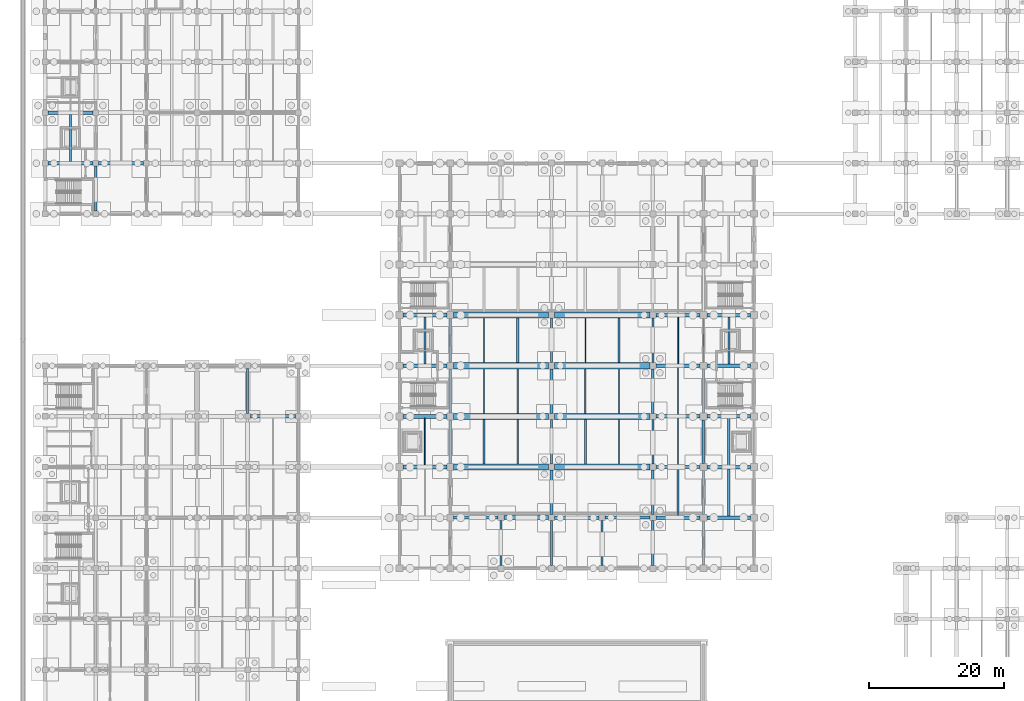
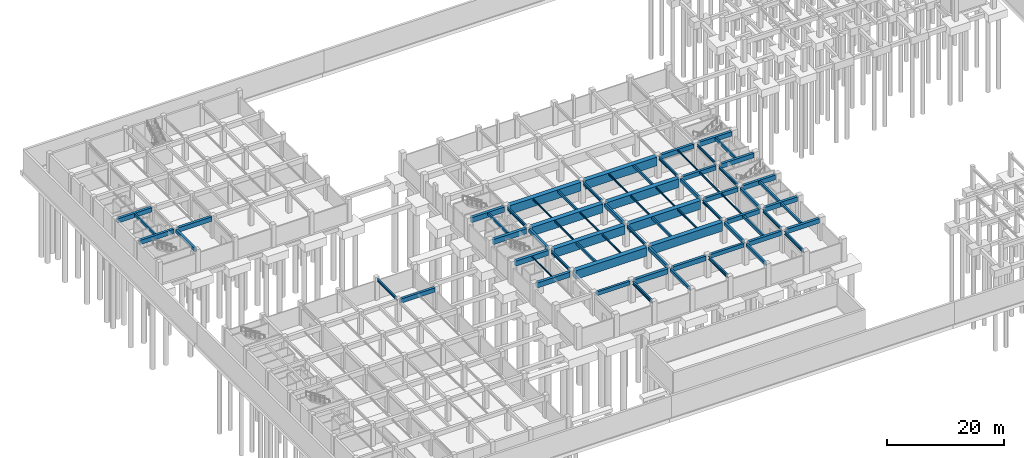
# One storey, part 16 of 38: 74 beams.
"""IFC4 building model written with IfcOpenShell, lengths in metres."""

from ifc_helpers import new_model, si_unit, direction, frame, origin, origin_2d, place, context, subcontext, project, spatial, rectangle, i_section, extrude, material, material_profile, profile_set, type_object, element, save


model = new_model("IFC4")

# Units and contexts
model_context = context("Model", 3, precision=1e-05, world=origin(), true_north=direction((0.0, 1.0)))
body_context = subcontext(model_context, "Body", "Model", "MODEL_VIEW")
ifc_project = project(units=[si_unit("LENGTHUNIT", "METRE"), si_unit("AREAUNIT", "SQUARE_METRE"), si_unit("VOLUMEUNIT", "CUBIC_METRE"), si_unit("PLANEANGLEUNIT", "RADIAN"), si_unit("MASSUNIT", "GRAM", prefix="KILO")], contexts=[model_context])

# Site, building, storey
site_placement = place(None, origin())
site = spatial("IfcSite", under=ifc_project, at=site_placement, CompositionType="ELEMENT")
building_placement = place(site_placement, origin())
building = spatial("IfcBuilding", under=site, at=building_placement, Name="Qasida Concert Hall", CompositionType="ELEMENT")
storey_placement = place(building_placement, frame((0.0, 0.0, -4.800048828125)))
storey = spatial("IfcBuildingStorey", under=building, at=storey_placement, Name="B1", CompositionType="ELEMENT", Elevation=-4.800048828125)

# Beams
ifc_material_1 = material(Name="Concrete C40/50", Category="concrete")
ifc_material_profile_1 = material_profile(ifc_material_1, rectangle(XDim=0.39990234375, YDim=0.64990234375, at=origin_2d()), Name="RC 400x650")
ifc_profile_set_1 = profile_set([ifc_material_profile_1], Name="Concrete C40/50")
beam_type_1 = type_object("IfcBeamType", Name="BM-B1", PredefinedType="BEAM", material=ifc_profile_set_1)
for number, where, z_axis, x_axis, name in (
    (1, (75.0, 30.449951171875, 4.175048828125), (0.0, 1.0, 0.0), (-1.0, 0.0, 0.0), "B1 girder 0051"),
    (2, (90.0, 30.449951171875, 4.175048828125), (0.0, 1.0, 0.0), (-1.0, 0.0, 0.0), "B1 girder 0061"),
):
    element("IfcBeam", number, at=place(storey_placement, frame(where, z_axis=z_axis, x_axis=x_axis)), inside=storey, type_object=beam_type_1, Name=name, PredefinedType="BEAM", context=body_context, shape_type="SweptSolid", body=[
        extrude(rectangle(XDim=0.39990234375, YDim=0.64990234375, at=origin_2d()), origin(), (0.0, 0.0, 1.0), 6.60009765625),
    ])
beam_1_placement = place(storey_placement, frame((7.5, 75.39990234375, 4.175048828125), z_axis=(0.0, 1.0, 0.0), x_axis=(-1.0, 0.0, 0.0)))
element("IfcBeam", 3, at=beam_1_placement, inside=storey, type_object=beam_type_1, Name="B1 girder 0316", PredefinedType="BEAM", context=body_context, shape_type="SweptSolid", body=[
    extrude(rectangle(XDim=0.39990234375, YDim=0.64990234375, at=origin_2d()), origin(), (0.0, 0.0, 1.0), 6.7001953125),
])
ifc_material_profile_2 = material_profile(ifc_material_1, rectangle(XDim=0.3798828125, YDim=0.6201171875, at=origin_2d()), Name="RC 380x620")
ifc_profile_set_2 = profile_set([ifc_material_profile_2], Name="Concrete C40/50")
beam_type_2 = type_object("IfcBeamType", Name="BM-B10", PredefinedType="BEAM", material=ifc_profile_set_2)
beam_2_placement = place(storey_placement, frame((97.5, 38.0, 4.18994140625), z_axis=(0.0, 1.0, 0.0), x_axis=(-1.0, 0.0, 0.0)))
element("IfcBeam", 4, at=beam_2_placement, inside=storey, type_object=beam_type_2, Name="B1 girder 0070", PredefinedType="BEAM", context=body_context, shape_type="SweptSolid", body=[
    extrude(rectangle(XDim=0.3798828125, YDim=0.6201171875, at=origin_2d()), origin(), (0.0, 0.0, 1.0), 6.5),
])
ifc_material_profile_3 = material_profile(ifc_material_1, rectangle(XDim=0.419921875, YDim=0.699951171875, at=origin_2d()), Name="RC 420x700")
ifc_profile_set_3 = profile_set([ifc_material_profile_3], Name="Concrete C40/50")
beam_type_3 = type_object("IfcBeamType", Name="BM-B11", PredefinedType="BEAM", material=ifc_profile_set_3)
beam_3_placement = place(storey_placement, frame((60.0, 45.5, 4.150146484375), z_axis=(0.0, 1.0, 0.0), x_axis=(-1.0, 0.0, 0.0)))
element("IfcBeam", 5, at=beam_3_placement, inside=storey, type_object=beam_type_3, Name="B1 girder 0043", PredefinedType="BEAM", context=body_context, shape_type="SweptSolid", body=[
    extrude(rectangle(XDim=0.419921875, YDim=0.699951171875, at=origin_2d()), origin(), (0.0, 0.0, 1.0), 6.5),
])
for number, where, z_axis, x_axis, name in (
    (6, (75.0, 45.449951171875, 4.150146484375), (0.0, 1.0, 0.0), (-1.0, 0.0, 0.0), "B1 girder 0053"),
    (7, (90.0, 45.449951171875, 4.150146484375), (0.0, 1.0, 0.0), (-1.0, 0.0, 0.0), "B1 girder 0063"),
):
    element("IfcBeam", number, at=place(storey_placement, frame(where, z_axis=z_axis, x_axis=x_axis)), inside=storey, type_object=beam_type_3, Name=name, PredefinedType="BEAM", context=body_context, shape_type="SweptSolid", body=[
        extrude(rectangle(XDim=0.419921875, YDim=0.699951171875, at=origin_2d()), origin(), (0.0, 0.0, 1.0), 6.60009765625),
    ])
ifc_material_2 = material(Name="Steel S355J2", Category="steel")
ifc_material_profile_4 = material_profile(ifc_material_2, i_section(OverallWidth=0.300048828125, OverallDepth=0.550048828125, WebThickness=0.014892578125, FlangeThickness=0.029052734375, FilletRadius=0.027099609375, at=origin_2d()), Name="HEB 550")
ifc_profile_set_4 = profile_set([ifc_material_profile_4], Name="Steel S355J2")
beam_type_4 = type_object("IfcBeamType", Name="BM-B12", PredefinedType="BEAM", material=ifc_profile_set_4)
beam_4_placement = place(storey_placement, frame((60.0, 38.0, 4.22509765625), z_axis=(0.0, 1.0, 0.0), x_axis=(-1.0, 0.0, 0.0)))
element("IfcBeam", 8, at=beam_4_placement, inside=storey, type_object=beam_type_4, Name="B1 girder 0042", PredefinedType="BEAM", context=body_context, shape_type="SweptSolid", body=[
    extrude(i_section(OverallWidth=0.300048828125, OverallDepth=0.550048828125, WebThickness=0.014892578125, FlangeThickness=0.029052734375, FilletRadius=0.027099609375, at=origin_2d()), origin(), (0.0, 0.0, 1.0), 6.5),
])
for number, where, z_axis, x_axis, name in (
    (9, (75.0, 37.949951171875, 4.22509765625), (0.0, 1.0, 0.0), (-1.0, 0.0, 0.0), "B1 girder 0052"),
    (10, (90.0, 37.949951171875, 4.22509765625), (0.0, 1.0, 0.0), (-1.0, 0.0, 0.0), "B1 girder 0062"),
):
    element("IfcBeam", number, at=place(storey_placement, frame(where, z_axis=z_axis, x_axis=x_axis)), inside=storey, type_object=beam_type_4, Name=name, PredefinedType="BEAM", context=body_context, shape_type="SweptSolid", body=[
        extrude(i_section(OverallWidth=0.300048828125, OverallDepth=0.550048828125, WebThickness=0.014892578125, FlangeThickness=0.029052734375, FilletRadius=0.027099609375, at=origin_2d()), origin(), (0.0, 0.0, 1.0), 6.60009765625),
    ])
beam_5_placement = place(storey_placement, frame((97.5, 30.5, 4.22509765625), z_axis=(0.0, 1.0, 0.0), x_axis=(-1.0, 0.0, 0.0)))
element("IfcBeam", 11, at=beam_5_placement, inside=storey, type_object=beam_type_4, Name="B1 girder 0069", PredefinedType="BEAM", context=body_context, shape_type="SweptSolid", body=[
    extrude(i_section(OverallWidth=0.300048828125, OverallDepth=0.550048828125, WebThickness=0.014892578125, FlangeThickness=0.029052734375, FilletRadius=0.027099609375, at=origin_2d()), origin(), (0.0, 0.0, 1.0), 6.5),
])
beam_6_placement = place(storey_placement, frame((30.0, 45.39990234375, 4.22509765625), z_axis=(0.0, 1.0, 0.0), x_axis=(-1.0, 0.0, 0.0)))
element("IfcBeam", 12, at=beam_6_placement, inside=storey, type_object=beam_type_4, Name="B1 girder 0204", PredefinedType="BEAM", context=body_context, shape_type="SweptSolid", body=[
    extrude(i_section(OverallWidth=0.300048828125, OverallDepth=0.550048828125, WebThickness=0.014892578125, FlangeThickness=0.029052734375, FilletRadius=0.027099609375, at=origin_2d()), origin(), (0.0, 0.0, 1.0), 6.7001953125),
])
ifc_material_profile_5 = material_profile(ifc_material_2, i_section(OverallWidth=0.300048828125, OverallDepth=0.64990234375, WebThickness=0.01611328125, FlangeThickness=0.031005859375, FilletRadius=0.027099609375, at=origin_2d()), Name="HEB 650")
ifc_profile_set_5 = profile_set([ifc_material_profile_5], Name="Steel S355J2")
beam_type_5 = type_object("IfcBeamType", Name="BM-B13", PredefinedType="BEAM", material=ifc_profile_set_5)
for number, where, z_axis, x_axis, name in (
    (13, (67.5, 22.949951171875, 4.175048828125), (0.0, 1.0, 0.0), (-1.0, 0.0, 0.0), "B1 girder 0048"),
    (14, (82.5, 22.949951171875, 4.175048828125), (0.0, 1.0, 0.0), (-1.0, 0.0, 0.0), "B1 girder 0058"),
):
    element("IfcBeam", number, at=place(storey_placement, frame(where, z_axis=z_axis, x_axis=x_axis)), inside=storey, type_object=beam_type_5, Name=name, PredefinedType="BEAM", context=body_context, shape_type="SweptSolid", body=[
        extrude(i_section(OverallWidth=0.300048828125, OverallDepth=0.64990234375, WebThickness=0.01611328125, FlangeThickness=0.031005859375, FilletRadius=0.027099609375, at=origin_2d()), origin(), (0.0, 0.0, 1.0), 6.60009765625),
    ])
beam_7_placement = place(storey_placement, frame((97.5, 23.0, 4.175048828125), z_axis=(0.0, 1.0, 0.0), x_axis=(-1.0, 0.0, 0.0)))
element("IfcBeam", 15, at=beam_7_placement, inside=storey, type_object=beam_type_5, Name="B1 girder 0068", PredefinedType="BEAM", context=body_context, shape_type="SweptSolid", body=[
    extrude(i_section(OverallWidth=0.300048828125, OverallDepth=0.64990234375, WebThickness=0.01611328125, FlangeThickness=0.031005859375, FilletRadius=0.027099609375, at=origin_2d()), origin(), (0.0, 0.0, 1.0), 6.5),
])
ifc_material_profile_6 = material_profile(ifc_material_1, rectangle(XDim=0.35009765625, YDim=0.60009765625, at=origin_2d()), Name="RC 350x600")
ifc_profile_set_6 = profile_set([ifc_material_profile_6], Name="Concrete C40/50")
beam_type_6 = type_object("IfcBeamType", Name="BM-B2", PredefinedType="BEAM", material=ifc_profile_set_6)
for number, where, z_axis, x_axis, name in (
    (16, (75.0, 22.949951171875, 4.199951171875), (0.0, 1.0, 0.0), (-1.0, 0.0, 0.0), "B1 girder 0050"),
    (17, (90.0, 22.949951171875, 4.199951171875), (0.0, 1.0, 0.0), (-1.0, 0.0, 0.0), "B1 girder 0060"),
):
    element("IfcBeam", number, at=place(storey_placement, frame(where, z_axis=z_axis, x_axis=x_axis)), inside=storey, type_object=beam_type_6, Name=name, PredefinedType="BEAM", context=body_context, shape_type="SweptSolid", body=[
        extrude(rectangle(XDim=0.35009765625, YDim=0.60009765625, at=origin_2d()), origin(), (0.0, 0.0, 1.0), 6.60009765625),
    ])
ifc_material_profile_7 = material_profile(ifc_material_2, i_section(OverallWidth=0.199951171875, OverallDepth=0.5, WebThickness=0.01025390625, FlangeThickness=0.01611328125, FilletRadius=0.02099609375, at=origin_2d()), Name="IPE 500")
ifc_profile_set_7 = profile_set([ifc_material_profile_7], Name="Steel S355J2")
beam_type_7 = type_object("IfcBeamType", Name="BM-B4", PredefinedType="BEAM", material=ifc_profile_set_7)
beam_8_placement = place(storey_placement, frame((97.5, 53.0, 4.25), z_axis=(0.0, 1.0, 0.0), x_axis=(-1.0, 0.0, 0.0)))
element("IfcBeam", 18, at=beam_8_placement, inside=storey, type_object=beam_type_7, Name="B1 girder 0072", PredefinedType="BEAM", context=body_context, shape_type="SweptSolid", body=[
    extrude(i_section(OverallWidth=0.199951171875, OverallDepth=0.5, WebThickness=0.01025390625, FlangeThickness=0.01611328125, FilletRadius=0.02099609375, at=origin_2d()), origin(), (0.0, 0.0, 1.0), 6.5),
])
ifc_material_profile_8 = material_profile(ifc_material_2, i_section(OverallWidth=0.300048828125, OverallDepth=0.60009765625, WebThickness=0.015380859375, FlangeThickness=0.030029296875, FilletRadius=0.027099609375, at=origin_2d()), Name="HEB 600")
ifc_profile_set_8 = profile_set([ifc_material_profile_8], Name="Steel S355J2")
beam_type_8 = type_object("IfcBeamType", Name="BM-B6", PredefinedType="BEAM", material=ifc_profile_set_8)
beam_9_placement = place(storey_placement, frame((60.0, 53.0, 4.199951171875), z_axis=(0.0, 1.0, 0.0), x_axis=(-1.0, 0.0, 0.0)))
element("IfcBeam", 19, at=beam_9_placement, inside=storey, type_object=beam_type_8, Name="B1 girder 0044", PredefinedType="BEAM", context=body_context, shape_type="SweptSolid", body=[
    extrude(i_section(OverallWidth=0.300048828125, OverallDepth=0.60009765625, WebThickness=0.015380859375, FlangeThickness=0.030029296875, FilletRadius=0.027099609375, at=origin_2d()), origin(), (0.0, 0.0, 1.0), 6.5),
])
for number, where, z_axis, x_axis, name in (
    (20, (75.0, 52.949951171875, 4.199951171875), (0.0, 1.0, 0.0), (-1.0, 0.0, 0.0), "B1 girder 0054"),
    (21, (90.0, 52.949951171875, 4.199951171875), (0.0, 1.0, 0.0), (-1.0, 0.0, 0.0), "B1 girder 0064"),
):
    element("IfcBeam", number, at=place(storey_placement, frame(where, z_axis=z_axis, x_axis=x_axis)), inside=storey, type_object=beam_type_8, Name=name, PredefinedType="BEAM", context=body_context, shape_type="SweptSolid", body=[
        extrude(i_section(OverallWidth=0.300048828125, OverallDepth=0.60009765625, WebThickness=0.015380859375, FlangeThickness=0.030029296875, FilletRadius=0.027099609375, at=origin_2d()), origin(), (0.0, 0.0, 1.0), 6.60009765625),
    ])
beam_10_placement = place(storey_placement, frame((97.5, 45.5, 4.199951171875), z_axis=(0.0, 1.0, 0.0), x_axis=(-1.0, 0.0, 0.0)))
element("IfcBeam", 22, at=beam_10_placement, inside=storey, type_object=beam_type_8, Name="B1 girder 0071", PredefinedType="BEAM", context=body_context, shape_type="SweptSolid", body=[
    extrude(i_section(OverallWidth=0.300048828125, OverallDepth=0.60009765625, WebThickness=0.015380859375, FlangeThickness=0.030029296875, FilletRadius=0.027099609375, at=origin_2d()), origin(), (0.0, 0.0, 1.0), 6.5),
])
ifc_material_profile_9 = material_profile(ifc_material_1, rectangle(XDim=0.5, YDim=0.89990234375, at=origin_2d()), Name="RC 500x900")
ifc_profile_set_9 = profile_set([ifc_material_profile_9], Name="Concrete C40/50")
beam_type_9 = type_object("IfcBeamType", Name="BM-G1", PredefinedType="USERDEFINED", material=ifc_profile_set_9)
for number, where, z_axis, x_axis, name in (
    (23, (90.449951171875, 30.0, 4.050048828125), (1.0, 0.0, 0.0), (0.0, 1.0, 0.0), "Primary girder 0006"),
    (24, (90.449951171875, 37.5, 4.050048828125), (1.0, 0.0, 0.0), (0.0, 1.0, 0.0), "Primary girder 0011"),
    (25, (90.449951171875, 45.0, 4.050048828125), (1.0, 0.0, 0.0), (0.0, 1.0, 0.0), "Primary girder 0016"),
    (26, (90.449951171875, 52.5, 4.050048828125), (1.0, 0.0, 0.0), (0.0, 1.0, 0.0), "Primary girder 0021"),
    (27, (90.449951171875, 60.0, 4.050048828125), (1.0, 0.0, 0.0), (0.0, 1.0, 0.0), "Primary girder 0026"),
):
    element("IfcBeam", number, at=place(storey_placement, frame(where, z_axis=z_axis, x_axis=x_axis)), inside=storey, type_object=beam_type_9, Name=name, ObjectType="GIRDER", PredefinedType="USERDEFINED", context=body_context, shape_type="SweptSolid", body=[
        extrude(rectangle(XDim=0.5, YDim=0.89990234375, at=origin_2d()), origin(), (0.0, 0.0, 1.0), 6.550048828125),
    ])
for number, where, z_axis, x_axis, name in (
    (28, (30.39990234375, 45.0, 4.050048828125), (1.0, 0.0, 0.0), (0.0, 1.0, 0.0), "Primary girder 0176"),
    (29, (0.39990234375, 82.5, 4.050048828125), (1.0, 0.0, 0.0), (0.0, 1.0, 0.0), "Primary girder 0296"),
    (30, (0.39990234375, 90.0, 4.050048828125), (1.0, 0.0, 0.0), (0.0, 1.0, 0.0), "Primary girder 0301"),
):
    element("IfcBeam", number, at=place(storey_placement, frame(where, z_axis=z_axis, x_axis=x_axis)), inside=storey, type_object=beam_type_9, Name=name, ObjectType="GIRDER", PredefinedType="USERDEFINED", context=body_context, shape_type="SweptSolid", body=[
        extrude(rectangle(XDim=0.5, YDim=0.89990234375, at=origin_2d()), origin(), (0.0, 0.0, 1.0), 6.7001953125),
    ])
ifc_material_profile_10 = material_profile(ifc_material_1, rectangle(XDim=0.449951171875, YDim=0.800048828125, at=origin_2d()), Name="RC 450x800")
ifc_profile_set_10 = profile_set([ifc_material_profile_10], Name="Concrete C40/50")
beam_type_10 = type_object("IfcBeamType", Name="BM-G2", PredefinedType="USERDEFINED", material=ifc_profile_set_10)
beam_11_placement = place(storey_placement, frame((60.5, 30.0, 4.10009765625), z_axis=(1.0, 0.0, 0.0), x_axis=(0.0, 1.0, 0.0)))
element("IfcBeam", 31, at=beam_11_placement, inside=storey, type_object=beam_type_10, Name="Primary girder 0002", ObjectType="GIRDER", PredefinedType="USERDEFINED", context=body_context, shape_type="SweptSolid", body=[
    extrude(rectangle(XDim=0.449951171875, YDim=0.800048828125, at=origin_2d()), origin(), (0.0, 0.0, 1.0), 6.550048828125),
])
beam_12_placement = place(storey_placement, frame((82.949951171875, 30.0, 4.10009765625), z_axis=(1.0, 0.0, 0.0), x_axis=(0.0, 1.0, 0.0)))
element("IfcBeam", 32, at=beam_12_placement, inside=storey, type_object=beam_type_10, Name="Primary girder 0005", ObjectType="GIRDER", PredefinedType="USERDEFINED", context=body_context, shape_type="SweptSolid", body=[
    extrude(rectangle(XDim=0.449951171875, YDim=0.800048828125, at=origin_2d()), origin(), (0.0, 0.0, 1.0), 6.60009765625),
])
ifc_material_profile_11 = material_profile(ifc_material_1, rectangle(XDim=0.52001953125, YDim=0.949951171875, at=origin_2d()), Name="RC 520x950")
ifc_profile_set_11 = profile_set([ifc_material_profile_11], Name="Concrete C40/50")
beam_type_11 = type_object("IfcBeamType", Name="BM-G7", PredefinedType="USERDEFINED", material=ifc_profile_set_11)
beam_13_placement = place(storey_placement, frame((75.449951171875, 30.0, 4.025146484375), z_axis=(1.0, 0.0, 0.0), x_axis=(0.0, 1.0, 0.0)))
element("IfcBeam", 33, at=beam_13_placement, inside=storey, type_object=beam_type_11, Name="Primary girder 0004", ObjectType="GIRDER", PredefinedType="USERDEFINED", context=body_context, shape_type="SweptSolid", body=[
    extrude(rectangle(XDim=0.52001953125, YDim=0.949951171875, at=origin_2d()), origin(), (0.0, 0.0, 1.0), 6.60009765625),
])
for number, where, z_axis, x_axis, name in (
    (34, (98.0, 30.0, 4.025146484375), (1.0, 0.0, 0.0), (0.0, 1.0, 0.0), "Primary girder 0007"),
    (35, (98.0, 37.5, 4.025146484375), (1.0, 0.0, 0.0), (0.0, 1.0, 0.0), "Primary girder 0012"),
    (36, (98.0, 45.0, 4.025146484375), (1.0, 0.0, 0.0), (0.0, 1.0, 0.0), "Primary girder 0017"),
    (37, (98.0, 52.5, 4.025146484375), (1.0, 0.0, 0.0), (0.0, 1.0, 0.0), "Primary girder 0022"),
    (38, (98.0, 60.0, 4.025146484375), (1.0, 0.0, 0.0), (0.0, 1.0, 0.0), "Primary girder 0027"),
):
    element("IfcBeam", number, at=place(storey_placement, frame(where, z_axis=z_axis, x_axis=x_axis)), inside=storey, type_object=beam_type_11, Name=name, ObjectType="GIRDER", PredefinedType="USERDEFINED", context=body_context, shape_type="SweptSolid", body=[
        extrude(rectangle(XDim=0.52001953125, YDim=0.949951171875, at=origin_2d()), origin(), (0.0, 0.0, 1.0), 6.5),
    ])
beam_14_placement = place(storey_placement, frame((7.89990234375, 82.5, 4.025146484375), z_axis=(1.0, 0.0, 0.0), x_axis=(0.0, 1.0, 0.0)))
element("IfcBeam", 39, at=beam_14_placement, inside=storey, type_object=beam_type_11, Name="Primary girder 0297", ObjectType="GIRDER", PredefinedType="USERDEFINED", context=body_context, shape_type="SweptSolid", body=[
    extrude(rectangle(XDim=0.52001953125, YDim=0.949951171875, at=origin_2d()), origin(), (0.0, 0.0, 1.0), 6.7001953125),
])
ifc_material_3 = material(Name="Concrete C50/60", Category="concrete")
ifc_material_profile_12 = material_profile(ifc_material_3, rectangle(XDim=0.580078125, YDim=1.050048828125, at=origin_2d()), Name="RC 580x1050")
ifc_profile_set_12 = profile_set([ifc_material_profile_12], Name="Concrete C50/60")
beam_type_12 = type_object("IfcBeamType", Name="BM-G8", PredefinedType="USERDEFINED", material=ifc_profile_set_12)
beam_15_placement = place(storey_placement, frame((67.949951171875, 30.0, 3.97509765625), z_axis=(1.0, 0.0, 0.0), x_axis=(0.0, 1.0, 0.0)))
element("IfcBeam", 40, at=beam_15_placement, inside=storey, type_object=beam_type_12, Name="Primary girder 0003", ObjectType="GIRDER", PredefinedType="USERDEFINED", context=body_context, shape_type="SweptSolid", body=[
    extrude(rectangle(XDim=0.580078125, YDim=1.050048828125, at=origin_2d()), origin(), (0.0, 0.0, 1.0), 6.60009765625),
])
for number, where, z_axis, x_axis, name in (
    (41, (53.0, 37.5, 3.97509765625), (1.0, 0.0, 0.0), (0.0, 1.0, 0.0), "Primary girder 0008"),
    (42, (53.0, 45.0, 3.97509765625), (1.0, 0.0, 0.0), (0.0, 1.0, 0.0), "Primary girder 0013"),
    (43, (53.0, 52.5, 3.97509765625), (1.0, 0.0, 0.0), (0.0, 1.0, 0.0), "Primary girder 0018"),
    (44, (53.0, 60.0, 3.97509765625), (1.0, 0.0, 0.0), (0.0, 1.0, 0.0), "Primary girder 0023"),
):
    element("IfcBeam", number, at=place(storey_placement, frame(where, z_axis=z_axis, x_axis=x_axis)), inside=storey, type_object=beam_type_12, Name=name, ObjectType="GIRDER", PredefinedType="USERDEFINED", context=body_context, shape_type="SweptSolid", body=[
        extrude(rectangle(XDim=0.580078125, YDim=1.050048828125, at=origin_2d()), origin(), (0.0, 0.0, 1.0), 6.5),
    ])
ifc_material_profile_13 = material_profile(ifc_material_1, rectangle(XDim=0.300048828125, YDim=0.550048828125, at=origin_2d()), Name="RC 300x550")
ifc_profile_set_13 = profile_set([ifc_material_profile_13], Name="Concrete C40/50")
beam_type_13 = type_object("IfcBeamType", Name="BM-J1", PredefinedType="JOIST", material=ifc_profile_set_13)
for number, where, z_axis, x_axis, name in (
    (45, (65.0, 37.949951171875, 4.22509765625), (0.0, 1.0, 0.0), (-1.0, 0.0, 0.0), "B1 secondary joist 0080"),
    (46, (80.0, 37.949951171875, 4.22509765625), (0.0, 1.0, 0.0), (-1.0, 0.0, 0.0), "B1 secondary joist 0088"),
):
    element("IfcBeam", number, at=place(storey_placement, frame(where, z_axis=z_axis, x_axis=x_axis)), inside=storey, type_object=beam_type_13, Name=name, PredefinedType="JOIST", context=body_context, shape_type="SweptSolid", body=[
        extrude(rectangle(XDim=0.300048828125, YDim=0.550048828125, at=origin_2d()), origin(), (0.0, 0.0, 1.0), 6.60009765625),
    ])
beam_16_placement = place(storey_placement, frame((93.75, 30.25, 4.22509765625), z_axis=(0.0, 1.0, 0.0), x_axis=(-1.0, 0.0, 0.0)))
element("IfcBeam", 47, at=beam_16_placement, inside=storey, type_object=beam_type_13, Name="B1 secondary joist 0096", PredefinedType="JOIST", context=body_context, shape_type="SweptSolid", body=[
    extrude(rectangle(XDim=0.300048828125, YDim=0.550048828125, at=origin_2d()), origin(), (0.0, 0.0, 1.0), 7.0),
])
beam_17_placement = place(storey_placement, frame((101.25, 52.760009765625, 4.22509765625), z_axis=(0.0, 1.0, 0.0), x_axis=(-1.0, 0.0, 0.0)))
element("IfcBeam", 48, at=beam_17_placement, inside=storey, type_object=beam_type_13, Name="B1 secondary joist 0104", PredefinedType="JOIST", context=body_context, shape_type="SweptSolid", body=[
    extrude(rectangle(XDim=0.300048828125, YDim=0.550048828125, at=origin_2d()), origin(), (0.0, 0.0, 1.0), 6.97998046875),
])
beam_18_placement = place(storey_placement, frame((3.75, 82.75, 4.22509765625), z_axis=(0.0, 1.0, 0.0), x_axis=(-1.0, 0.0, 0.0)))
element("IfcBeam", 49, at=beam_18_placement, inside=storey, type_object=beam_type_13, Name="B1 secondary joist 0336", PredefinedType="JOIST", context=body_context, shape_type="SweptSolid", body=[
    extrude(rectangle(XDim=0.300048828125, YDim=0.550048828125, at=origin_2d()), origin(), (0.0, 0.0, 1.0), 7.0),
])
ifc_material_profile_14 = material_profile(ifc_material_2, i_section(OverallWidth=0.169921875, OverallDepth=0.360107421875, WebThickness=0.008056640625, FlangeThickness=0.0126953125, FilletRadius=0.01806640625, at=origin_2d()), Name="IPE 360")
ifc_profile_set_14 = profile_set([ifc_material_profile_14], Name="Steel S355J2")
beam_type_14 = type_object("IfcBeamType", Name="BM-J2", PredefinedType="JOIST", material=ifc_profile_set_14)
beam_19_placement = place(storey_placement, frame((93.75, 37.75, 4.320068359375), z_axis=(0.0, 1.0, 0.0), x_axis=(-1.0, 0.0, 0.0)))
element("IfcBeam", 50, at=beam_19_placement, inside=storey, type_object=beam_type_14, Name="B1 secondary joist 0097", PredefinedType="JOIST", context=body_context, shape_type="SweptSolid", body=[
    extrude(i_section(OverallWidth=0.169921875, OverallDepth=0.360107421875, WebThickness=0.008056640625, FlangeThickness=0.0126953125, FilletRadius=0.01806640625, at=origin_2d()), origin(), (0.0, 0.0, 1.0), 7.0),
])
ifc_material_profile_15 = material_profile(ifc_material_2, i_section(OverallWidth=0.179931640625, OverallDepth=0.39990234375, WebThickness=0.008544921875, FlangeThickness=0.013427734375, FilletRadius=0.02099609375, at=origin_2d()), Name="IPE 400")
ifc_profile_set_15 = profile_set([ifc_material_profile_15], Name="Steel S355J2")
beam_type_15 = type_object("IfcBeamType", Name="BM-J3", PredefinedType="JOIST", material=ifc_profile_set_15)
for number, where, z_axis, x_axis, name in (
    (51, (70.0, 37.949951171875, 4.300048828125), (0.0, 1.0, 0.0), (-1.0, 0.0, 0.0), "B1 secondary joist 0081"),
    (52, (65.0, 45.449951171875, 4.300048828125), (0.0, 1.0, 0.0), (-1.0, 0.0, 0.0), "B1 secondary joist 0082"),
    (53, (85.0, 37.949951171875, 4.300048828125), (0.0, 1.0, 0.0), (-1.0, 0.0, 0.0), "B1 secondary joist 0089"),
    (54, (80.0, 45.449951171875, 4.300048828125), (0.0, 1.0, 0.0), (-1.0, 0.0, 0.0), "B1 secondary joist 0090"),
):
    element("IfcBeam", number, at=place(storey_placement, frame(where, z_axis=z_axis, x_axis=x_axis)), inside=storey, type_object=beam_type_15, Name=name, PredefinedType="JOIST", context=body_context, shape_type="SweptSolid", body=[
        extrude(i_section(OverallWidth=0.179931640625, OverallDepth=0.39990234375, WebThickness=0.008544921875, FlangeThickness=0.013427734375, FilletRadius=0.02099609375, at=origin_2d()), origin(), (0.0, 0.0, 1.0), 6.60009765625),
    ])
beam_20_placement = place(storey_placement, frame((93.75, 45.25, 4.300048828125), z_axis=(0.0, 1.0, 0.0), x_axis=(-1.0, 0.0, 0.0)))
element("IfcBeam", 55, at=beam_20_placement, inside=storey, type_object=beam_type_15, Name="B1 secondary joist 0098", PredefinedType="JOIST", context=body_context, shape_type="SweptSolid", body=[
    extrude(i_section(OverallWidth=0.179931640625, OverallDepth=0.39990234375, WebThickness=0.008544921875, FlangeThickness=0.013427734375, FilletRadius=0.02099609375, at=origin_2d()), origin(), (0.0, 0.0, 1.0), 7.0),
])
ifc_material_profile_16 = material_profile(ifc_material_2, i_section(OverallWidth=0.14990234375, OverallDepth=0.300048828125, WebThickness=0.007080078125, FlangeThickness=0.0107421875, FilletRadius=0.014892578125, at=origin_2d()), Name="IPE 300")
ifc_profile_set_16 = profile_set([ifc_material_profile_16], Name="Steel S355J2")
beam_type_16 = type_object("IfcBeamType", Name="BM-J4", PredefinedType="JOIST", material=ifc_profile_set_16)
beam_21_placement = place(storey_placement, frame((93.75, 52.75, 4.35009765625), z_axis=(0.0, 1.0, 0.0), x_axis=(-1.0, 0.0, 0.0)))
element("IfcBeam", 56, at=beam_21_placement, inside=storey, type_object=beam_type_16, Name="B1 secondary joist 0099", PredefinedType="JOIST", context=body_context, shape_type="SweptSolid", body=[
    extrude(i_section(OverallWidth=0.14990234375, OverallDepth=0.300048828125, WebThickness=0.007080078125, FlangeThickness=0.0107421875, FilletRadius=0.014892578125, at=origin_2d()), origin(), (0.0, 0.0, 1.0), 7.0),
])
ifc_material_profile_17 = material_profile(ifc_material_2, i_section(OverallWidth=0.159912109375, OverallDepth=0.330078125, WebThickness=0.007568359375, FlangeThickness=0.011474609375, FilletRadius=0.01806640625, at=origin_2d()), Name="IPE 330")
ifc_profile_set_17 = profile_set([ifc_material_profile_17], Name="Steel S355J2")
beam_type_17 = type_object("IfcBeamType", Name="BM-J5", PredefinedType="JOIST", material=ifc_profile_set_17)
for number, where, z_axis, x_axis, name in (
    (57, (70.0, 45.449951171875, 4.3349609375), (0.0, 1.0, 0.0), (-1.0, 0.0, 0.0), "B1 secondary joist 0083"),
    (58, (65.0, 52.949951171875, 4.3349609375), (0.0, 1.0, 0.0), (-1.0, 0.0, 0.0), "B1 secondary joist 0084"),
    (59, (85.0, 45.449951171875, 4.3349609375), (0.0, 1.0, 0.0), (-1.0, 0.0, 0.0), "B1 secondary joist 0091"),
    (60, (80.0, 52.949951171875, 4.3349609375), (0.0, 1.0, 0.0), (-1.0, 0.0, 0.0), "B1 secondary joist 0092"),
):
    element("IfcBeam", number, at=place(storey_placement, frame(where, z_axis=z_axis, x_axis=x_axis)), inside=storey, type_object=beam_type_17, Name=name, PredefinedType="JOIST", context=body_context, shape_type="SweptSolid", body=[
        extrude(i_section(OverallWidth=0.159912109375, OverallDepth=0.330078125, WebThickness=0.007568359375, FlangeThickness=0.011474609375, FilletRadius=0.01806640625, at=origin_2d()), origin(), (0.0, 0.0, 1.0), 6.60009765625),
    ])
ifc_material_profile_18 = material_profile(ifc_material_2, i_section(OverallWidth=0.135009765625, OverallDepth=0.27001953125, WebThickness=0.006591796875, FlangeThickness=0.01025390625, FilletRadius=0.014892578125, at=origin_2d()), Name="IPE 270")
ifc_profile_set_18 = profile_set([ifc_material_profile_18], Name="Steel S355J2")
beam_type_18 = type_object("IfcBeamType", Name="BM-J6", PredefinedType="JOIST", material=ifc_profile_set_18)
beam_22_placement = place(storey_placement, frame((56.25, 37.7900390625, 4.364990234375), z_axis=(0.0, 1.0, 0.0), x_axis=(-1.0, 0.0, 0.0)))
element("IfcBeam", 61, at=beam_22_placement, inside=storey, type_object=beam_type_18, Name="B1 secondary joist 0077", PredefinedType="JOIST", context=body_context, shape_type="SweptSolid", body=[
    extrude(i_section(OverallWidth=0.135009765625, OverallDepth=0.27001953125, WebThickness=0.006591796875, FlangeThickness=0.01025390625, FilletRadius=0.014892578125, at=origin_2d()), origin(), (0.0, 0.0, 1.0), 6.919921875),
])
ifc_material_profile_19 = material_profile(ifc_material_1, rectangle(XDim=0.320068359375, YDim=0.5, at=origin_2d()), Name="RC 320x500")
ifc_profile_set_19 = profile_set([ifc_material_profile_19], Name="Concrete C40/50")
beam_type_19 = type_object("IfcBeamType", Name="BM-J7", PredefinedType="JOIST", material=ifc_profile_set_19)
beam_23_placement = place(storey_placement, frame((56.25, 52.7900390625, 4.25), z_axis=(0.0, 1.0, 0.0), x_axis=(-1.0, 0.0, 0.0)))
element("IfcBeam", 62, at=beam_23_placement, inside=storey, type_object=beam_type_19, Name="B1 secondary joist 0078", PredefinedType="JOIST", context=body_context, shape_type="SweptSolid", body=[
    extrude(rectangle(XDim=0.320068359375, YDim=0.5, at=origin_2d()), origin(), (0.0, 0.0, 1.0), 6.919921875),
])
for number, where, z_axis, x_axis, name in (
    (63, (70.0, 52.949951171875, 4.25), (0.0, 1.0, 0.0), (-1.0, 0.0, 0.0), "B1 secondary joist 0085"),
    (64, (85.0, 52.949951171875, 4.25), (0.0, 1.0, 0.0), (-1.0, 0.0, 0.0), "B1 secondary joist 0093"),
):
    element("IfcBeam", number, at=place(storey_placement, frame(where, z_axis=z_axis, x_axis=x_axis)), inside=storey, type_object=beam_type_19, Name=name, PredefinedType="JOIST", context=body_context, shape_type="SweptSolid", body=[
        extrude(rectangle(XDim=0.320068359375, YDim=0.5, at=origin_2d()), origin(), (0.0, 0.0, 1.0), 6.60009765625),
    ])
beam_24_placement = place(storey_placement, frame((101.25, 30.260009765625, 4.25), z_axis=(0.0, 1.0, 0.0), x_axis=(-1.0, 0.0, 0.0)))
element("IfcBeam", 65, at=beam_24_placement, inside=storey, type_object=beam_type_19, Name="B1 secondary joist 0102", PredefinedType="JOIST", context=body_context, shape_type="SweptSolid", body=[
    extrude(rectangle(XDim=0.320068359375, YDim=0.5, at=origin_2d()), origin(), (0.0, 0.0, 1.0), 6.97998046875),
])
ifc_material_profile_20 = material_profile(ifc_material_1, rectangle(XDim=0.35009765625, YDim=0.550048828125, at=origin_2d()), Name="RC 350x550")
ifc_profile_set_20 = profile_set([ifc_material_profile_20], Name="Concrete C40/50")
beam_type_20 = type_object("IfcBeamType", Name="BM-J8", PredefinedType="JOIST", material=ifc_profile_set_20)
beam_25_placement = place(storey_placement, frame((101.25, 37.760009765625, 4.22509765625), z_axis=(0.0, 1.0, 0.0), x_axis=(-1.0, 0.0, 0.0)))
element("IfcBeam", 66, at=beam_25_placement, inside=storey, type_object=beam_type_20, Name="B1 secondary joist 0103", PredefinedType="JOIST", context=body_context, shape_type="SweptSolid", body=[
    extrude(rectangle(XDim=0.35009765625, YDim=0.550048828125, at=origin_2d()), origin(), (0.0, 0.0, 1.0), 6.97998046875),
])
ifc_material_profile_21 = material_profile(ifc_material_3, rectangle(XDim=0.89990234375, YDim=1.800048828125, at=origin_2d()), Name="RC 900x1800")
ifc_profile_set_21 = profile_set([ifc_material_profile_21], Name="Concrete C50/60")
beam_type_21 = type_object("IfcBeamType", Name="BM-TG1", PredefinedType="USERDEFINED", material=ifc_profile_set_21)
beam_26_placement = place(storey_placement, frame((60.5, 37.5, 3.60009765625), z_axis=(1.0, 0.0, 0.0), x_axis=(0.0, 1.0, 0.0)))
element("IfcBeam", 67, at=beam_26_placement, inside=storey, type_object=beam_type_21, Name="Transfer girder TG-0009", ObjectType="GIRDER", PredefinedType="USERDEFINED", context=body_context, shape_type="SweptSolid", body=[
    extrude(rectangle(XDim=0.89990234375, YDim=1.800048828125, at=origin_2d()), origin(), (0.0, 0.0, 1.0), 14.050048828125),
])
beam_27_placement = place(storey_placement, frame((75.449951171875, 37.5, 3.60009765625), z_axis=(1.0, 0.0, 0.0), x_axis=(0.0, 1.0, 0.0)))
element("IfcBeam", 68, at=beam_27_placement, inside=storey, type_object=beam_type_21, Name="Transfer girder TG-0010", ObjectType="GIRDER", PredefinedType="USERDEFINED", context=body_context, shape_type="SweptSolid", body=[
    extrude(rectangle(XDim=0.89990234375, YDim=1.800048828125, at=origin_2d()), origin(), (0.0, 0.0, 1.0), 14.10009765625),
])
beam_28_placement = place(storey_placement, frame((60.5, 45.0, 3.60009765625), z_axis=(1.0, 0.0, 0.0), x_axis=(0.0, 1.0, 0.0)))
element("IfcBeam", 69, at=beam_28_placement, inside=storey, type_object=beam_type_21, Name="Transfer girder TG-0014", ObjectType="GIRDER", PredefinedType="USERDEFINED", context=body_context, shape_type="SweptSolid", body=[
    extrude(rectangle(XDim=0.89990234375, YDim=1.800048828125, at=origin_2d()), origin(), (0.0, 0.0, 1.0), 14.050048828125),
])
beam_29_placement = place(storey_placement, frame((75.449951171875, 45.0, 3.60009765625), z_axis=(1.0, 0.0, 0.0), x_axis=(0.0, 1.0, 0.0)))
element("IfcBeam", 70, at=beam_29_placement, inside=storey, type_object=beam_type_21, Name="Transfer girder TG-0015", ObjectType="GIRDER", PredefinedType="USERDEFINED", context=body_context, shape_type="SweptSolid", body=[
    extrude(rectangle(XDim=0.89990234375, YDim=1.800048828125, at=origin_2d()), origin(), (0.0, 0.0, 1.0), 14.10009765625),
])
beam_30_placement = place(storey_placement, frame((60.5, 52.5, 3.60009765625), z_axis=(1.0, 0.0, 0.0), x_axis=(0.0, 1.0, 0.0)))
element("IfcBeam", 71, at=beam_30_placement, inside=storey, type_object=beam_type_21, Name="Transfer girder TG-0019", ObjectType="GIRDER", PredefinedType="USERDEFINED", context=body_context, shape_type="SweptSolid", body=[
    extrude(rectangle(XDim=0.89990234375, YDim=1.800048828125, at=origin_2d()), origin(), (0.0, 0.0, 1.0), 14.050048828125),
])
beam_31_placement = place(storey_placement, frame((75.449951171875, 52.5, 3.60009765625), z_axis=(1.0, 0.0, 0.0), x_axis=(0.0, 1.0, 0.0)))
element("IfcBeam", 72, at=beam_31_placement, inside=storey, type_object=beam_type_21, Name="Transfer girder TG-0020", ObjectType="GIRDER", PredefinedType="USERDEFINED", context=body_context, shape_type="SweptSolid", body=[
    extrude(rectangle(XDim=0.89990234375, YDim=1.800048828125, at=origin_2d()), origin(), (0.0, 0.0, 1.0), 14.10009765625),
])
beam_32_placement = place(storey_placement, frame((60.5, 60.0, 3.60009765625), z_axis=(1.0, 0.0, 0.0), x_axis=(0.0, 1.0, 0.0)))
element("IfcBeam", 73, at=beam_32_placement, inside=storey, type_object=beam_type_21, Name="Transfer girder TG-0024", ObjectType="GIRDER", PredefinedType="USERDEFINED", context=body_context, shape_type="SweptSolid", body=[
    extrude(rectangle(XDim=0.89990234375, YDim=1.800048828125, at=origin_2d()), origin(), (0.0, 0.0, 1.0), 14.050048828125),
])
beam_33_placement = place(storey_placement, frame((75.449951171875, 60.0, 3.60009765625), z_axis=(1.0, 0.0, 0.0), x_axis=(0.0, 1.0, 0.0)))
element("IfcBeam", 74, at=beam_33_placement, inside=storey, type_object=beam_type_21, Name="Transfer girder TG-0025", ObjectType="GIRDER", PredefinedType="USERDEFINED", context=body_context, shape_type="SweptSolid", body=[
    extrude(rectangle(XDim=0.89990234375, YDim=1.800048828125, at=origin_2d()), origin(), (0.0, 0.0, 1.0), 14.10009765625),
])

save(model, "model.ifc")
